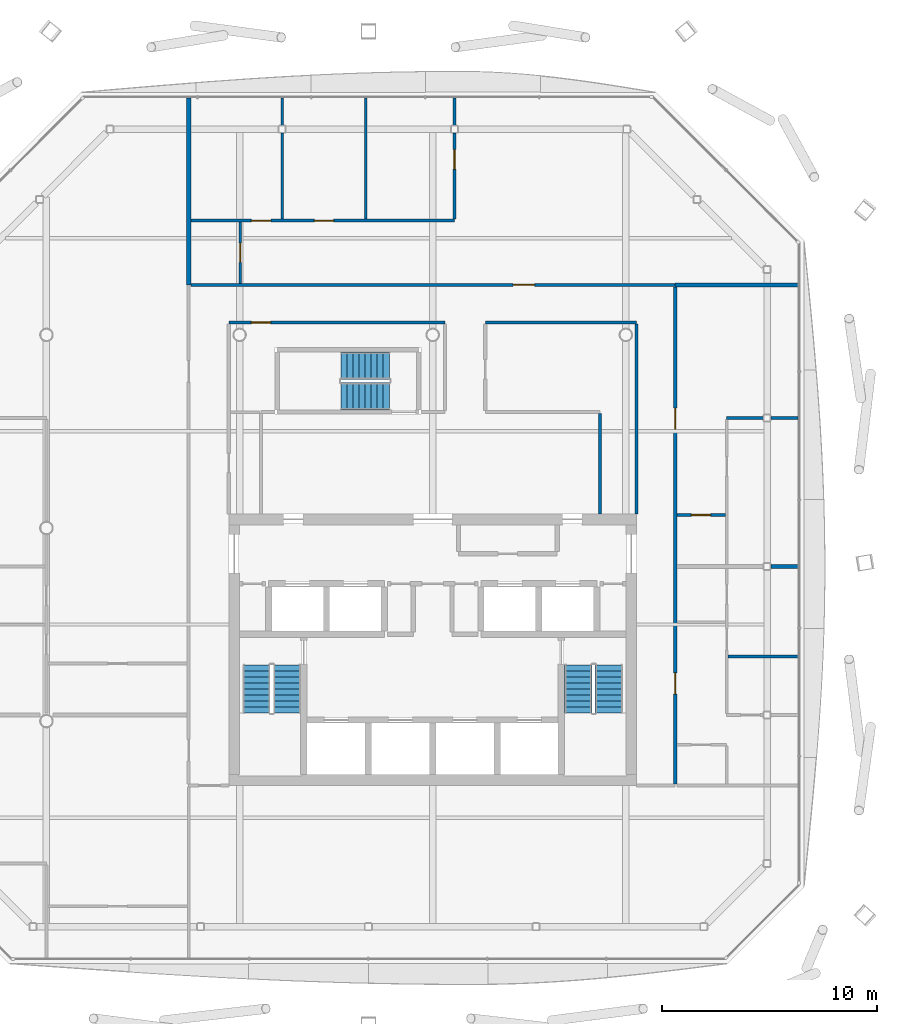
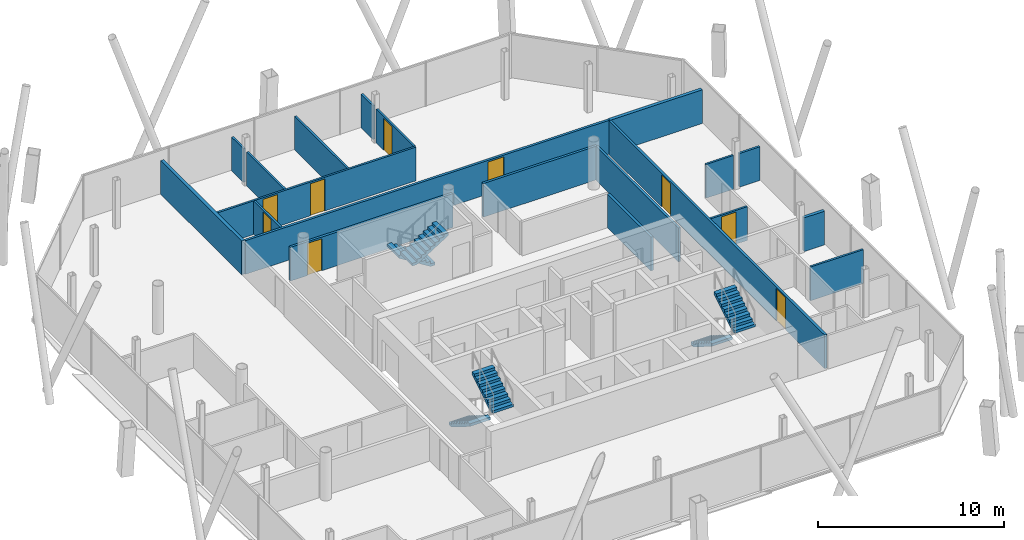
# One storey, part 15 of 19: 20 walls, 9 doors, 6 stair flights, 9 openings, 3 elements without a shape of their own.
"""IFC4 building model written with IfcOpenShell, lengths in metres."""

from ifc_helpers import new_model, si_unit, direction, frame, frame_2d, origin, place, context, subcontext, project, spatial, polyline, rectangle, outline, extrude, material, layer, layer_set, type_object, element, fill, aggregate, save


model = new_model("IFC4")

# Units and contexts
model_context = context("Model", 3, precision=1e-05, world=origin(), true_north=direction((0.0, 1.0)))
body_context = subcontext(model_context, "Body", "Model", "MODEL_VIEW")
ifc_project = project(units=[si_unit("LENGTHUNIT", "METRE"), si_unit("AREAUNIT", "SQUARE_METRE"), si_unit("VOLUMEUNIT", "CUBIC_METRE"), si_unit("PLANEANGLEUNIT", "RADIAN"), si_unit("MASSUNIT", "GRAM", prefix="KILO")], contexts=[model_context])

# Site, building, storey
site_placement = place(None, origin())
site = spatial("IfcSite", under=ifc_project, at=site_placement, CompositionType="ELEMENT")
building_placement = place(site_placement, origin())
building = spatial("IfcBuilding", under=site, at=building_placement, Name="Tskaro Facet Tower", CompositionType="ELEMENT")
storey_placement = place(building_placement, frame((0.0, 0.0, 191.10009765625)))
storey = spatial("IfcBuildingStorey", under=building, at=storey_placement, Name="L48", CompositionType="ELEMENT", Elevation=191.10009765625)

# Wall
ifc_material_1 = material(Name="Gypsum board on steel studs", Category="steel")
ifc_layer_1 = layer(ifc_material_1, 0.125, Name="Gypsum board on steel studs")
ifc_layer_set_1 = layer_set([ifc_layer_1], Name="Gypsum board on steel studs")
wall_type_1 = type_object("IfcWallType", Name="PART", PredefinedType="PARTITIONING", material=ifc_layer_set_1)
wall_1_placement = place(storey_placement, frame((13.762451171875, -5.989990234375, 0.0), z_axis=(0.0, 0.0, 1.0), x_axis=(1.0, 0.0, 0.0)))
element("IfcWall", 1, at=wall_1_placement, inside=storey, type_object=wall_type_1, Name="Partition W015", PredefinedType="PARTITIONING", context=body_context, shape_type="SweptSolid", body=[
    extrude(rectangle(XDim=3.267578125, YDim=0.125, at=frame_2d((1.6337890625, 0.0))), origin(), (0.0, 0.0, 1.0), 2.2099609375),
])

# Wall, opening, door
wall_2_placement = place(storey_placement, frame((13.637451171875, 0.60498046875, 0.0), z_axis=(0.0, 0.0, 1.0), x_axis=(-1.0, 0.0, 0.0)))
wall_2 = element("IfcWall", 2, at=wall_2_placement, inside=storey, type_object=wall_type_1, Name="Partition W032", PredefinedType="PARTITIONING", context=body_context, shape_type="SweptSolid", body=[
    extrude(rectangle(XDim=2.262451171875, YDim=0.125, at=frame_2d((1.13134765625, 0.0))), origin(), (0.0, 0.0, 1.0), 2.2099609375),
])
opening_1_placement = place(wall_2_placement, frame((0.6875, 0.0, 0.0)))
opening_1 = element("IfcOpeningElement", 3, at=opening_1_placement, cuts=wall_2, Name="Opening T14-D23", PredefinedType="OPENING", context=body_context, shape_type="SweptSolid", body=[
    extrude(rectangle(XDim=0.89990234375, YDim=2.10009765625, at=frame_2d((0.449951171875, 1.050048828125))), frame((0.0, 0.072509765625, 0.0), z_axis=(0.0, -1.0, 0.0), x_axis=(1.0, 0.0, 0.0)), (0.0, 0.0, 1.0), 0.14501953125),
])
ifc_material_2 = material(Name="Timber", Category="wood")
door_type_1 = type_object("IfcDoorType", Name="D-ROOM", OperationType="NOTDEFINED", PredefinedType="DOOR", material=ifc_material_2)
door_1_placement = place(opening_1_placement, origin())
door_1 = element("IfcDoor", 4, at=door_1_placement, inside=storey, type_object=door_type_1, Name="Door T14-D23", OperationType="SINGLE_SWING_RIGHT", OverallHeight=2.10009765625, OverallWidth=0.89990234375, PredefinedType="DOOR", context=body_context, shape_type="SweptSolid", body=[
    extrude(rectangle(XDim=0.89990234375, YDim=2.10009765625, at=frame_2d((0.449951171875, 1.050048828125))), frame((0.0, 0.02490234375, 0.0), z_axis=(0.0, -1.0, 0.0), x_axis=(1.0, 0.0, 0.0)), (0.0, 0.0, 1.0), 0.050048828125),
])
fill(opening_1, door_1)

# Walls
wall_3_placement = place(storey_placement, frame((13.699951171875, 5.125, 0.0), z_axis=(0.0, 0.0, 1.0), x_axis=(1.0, 0.0, 0.0)))
element("IfcWall", 5, at=wall_3_placement, inside=storey, type_object=wall_type_1, Name="Partition W035", PredefinedType="PARTITIONING", context=body_context, shape_type="SweptSolid", body=[
    extrude(rectangle(XDim=1.7080078125, YDim=0.125, at=frame_2d((0.85400390625, 0.0))), origin(), (0.0, 0.0, 1.0), 2.2099609375),
])
wall_4_placement = place(storey_placement, frame((15.758056640625, 5.125, 0.0), z_axis=(0.0, 0.0, 1.0), x_axis=(1.0, 0.0, 0.0)))
element("IfcWall", 6, at=wall_4_placement, inside=storey, type_object=wall_type_1, Name="Partition W036", PredefinedType="PARTITIONING", context=body_context, shape_type="SweptSolid", body=[
    extrude(rectangle(XDim=1.27197265625, YDim=0.125, at=frame_2d((0.635986328125, 0.0))), origin(), (0.0, 0.0, 1.0), 2.2099609375),
])

# Wall, openings, doors
wall_5_placement = place(storey_placement, frame((-11.27490234375, 14.324951171875, 0.0), z_axis=(0.0, 0.0, 1.0), x_axis=(1.0, 0.0, 0.0)))
wall_5 = element("IfcWall", 7, at=wall_5_placement, inside=storey, type_object=wall_type_1, Name="Partition W047", PredefinedType="PARTITIONING", context=body_context, shape_type="SweptSolid", body=[
    extrude(rectangle(XDim=12.289794921875, YDim=0.125, at=frame_2d((6.14501953125, 0.0))), origin(), (0.0, 0.0, 1.0), 2.2099609375),
])
opening_2_placement = place(wall_5_placement, frame((2.830078125, 0.0, 0.0)))
opening_2 = element("IfcOpeningElement", 8, at=opening_2_placement, cuts=wall_5, Name="Opening T14-D33", PredefinedType="OPENING", context=body_context, shape_type="SweptSolid", body=[
    extrude(rectangle(XDim=0.89990234375, YDim=2.10009765625, at=frame_2d((0.449951171875, 1.050048828125))), frame((0.0, 0.072509765625, 0.0), z_axis=(0.0, -1.0, 0.0), x_axis=(1.0, 0.0, 0.0)), (0.0, 0.0, 1.0), 0.14501953125),
])
opening_3_placement = place(wall_5_placement, frame((5.760009765625, 0.0, 0.0)))
opening_3 = element("IfcOpeningElement", 9, at=opening_3_placement, cuts=wall_5, Name="Opening T14-D34", PredefinedType="OPENING", context=body_context, shape_type="SweptSolid", body=[
    extrude(rectangle(XDim=0.89990234375, YDim=2.10009765625, at=frame_2d((0.449951171875, 1.050048828125))), frame((0.0, 0.072509765625, 0.0), z_axis=(0.0, -1.0, 0.0), x_axis=(1.0, 0.0, 0.0)), (0.0, 0.0, 1.0), 0.14501953125),
])
door_2_placement = place(opening_2_placement, origin())
door_2 = element("IfcDoor", 10, at=door_2_placement, inside=storey, type_object=door_type_1, Name="Door T14-D33", OperationType="SINGLE_SWING_RIGHT", OverallHeight=2.10009765625, OverallWidth=0.89990234375, PredefinedType="DOOR", context=body_context, shape_type="SweptSolid", body=[
    extrude(rectangle(XDim=0.89990234375, YDim=2.10009765625, at=frame_2d((0.449951171875, 1.050048828125))), frame((0.0, 0.02490234375, 0.0), z_axis=(0.0, -1.0, 0.0), x_axis=(1.0, 0.0, 0.0)), (0.0, 0.0, 1.0), 0.050048828125),
])
fill(opening_2, door_2)
door_3_placement = place(opening_3_placement, origin())
door_3 = element("IfcDoor", 11, at=door_3_placement, inside=storey, type_object=door_type_1, Name="Door T14-D34", OperationType="SINGLE_SWING_RIGHT", OverallHeight=2.10009765625, OverallWidth=0.89990234375, PredefinedType="DOOR", context=body_context, shape_type="SweptSolid", body=[
    extrude(rectangle(XDim=0.89990234375, YDim=2.10009765625, at=frame_2d((0.449951171875, 1.050048828125))), frame((0.0, 0.02490234375, 0.0), z_axis=(0.0, -1.0, 0.0), x_axis=(1.0, 0.0, 0.0)), (0.0, 0.0, 1.0), 0.050048828125),
])
fill(opening_3, door_3)

# Wall, opening, door
wall_6_placement = place(storey_placement, frame((-8.97509765625, 11.39990234375, 0.0), z_axis=(0.0, 0.0, 1.0), x_axis=(0.0, 1.0, 0.0)))
wall_6 = element("IfcWall", 12, at=wall_6_placement, inside=storey, type_object=wall_type_1, Name="Partition W055", PredefinedType="PARTITIONING", context=body_context, shape_type="SweptSolid", body=[
    extrude(rectangle(XDim=2.862548828125, YDim=0.125, at=frame_2d((1.43115234375, 0.0))), origin(), (0.0, 0.0, 1.0), 2.2099609375),
])
opening_4_placement = place(wall_6_placement, frame((0.97509765625, 0.0, 0.0)))
opening_4 = element("IfcOpeningElement", 13, at=opening_4_placement, cuts=wall_6, Name="Opening T14-D32", PredefinedType="OPENING", context=body_context, shape_type="SweptSolid", body=[
    extrude(rectangle(XDim=0.89990234375, YDim=2.10009765625, at=frame_2d((0.449951171875, 1.050048828125))), frame((0.0, 0.072509765625, 0.0), z_axis=(0.0, -1.0, 0.0), x_axis=(1.0, 0.0, 0.0)), (0.0, 0.0, 1.0), 0.14501953125),
])
door_4_placement = place(opening_4_placement, origin())
door_4 = element("IfcDoor", 14, at=door_4_placement, inside=storey, type_object=door_type_1, Name="Door T14-D32", OperationType="SINGLE_SWING_LEFT", OverallHeight=2.10009765625, OverallWidth=0.89990234375, PredefinedType="DOOR", context=body_context, shape_type="SweptSolid", body=[
    extrude(rectangle(XDim=0.89990234375, YDim=2.10009765625, at=frame_2d((0.449951171875, 1.050048828125))), frame((0.0, 0.02490234375, 0.0), z_axis=(0.0, -1.0, 0.0), x_axis=(1.0, 0.0, 0.0)), (0.0, 0.0, 1.0), 0.050048828125),
])
fill(opening_4, door_4)

# Walls
wall_7_placement = place(storey_placement, frame((-7.014892578125, 14.387451171875, 0.0), z_axis=(0.0, 0.0, 1.0), x_axis=(0.0, 1.0, 0.0)))
element("IfcWall", 15, at=wall_7_placement, inside=storey, type_object=wall_type_1, Name="Partition W059", PredefinedType="PARTITIONING", context=body_context, shape_type="SweptSolid", body=[
    extrude(rectangle(XDim=4.0205078125, YDim=0.125, at=frame_2d((2.01025390625, 0.0))), origin(), (0.0, 0.0, 1.0), 2.2099609375),
])
wall_8_placement = place(storey_placement, frame((-7.014892578125, 18.758056640625, 0.0), z_axis=(0.0, 0.0, 1.0), x_axis=(0.0, 1.0, 0.0)))
element("IfcWall", 16, at=wall_8_placement, inside=storey, type_object=wall_type_1, Name="Partition W060", PredefinedType="PARTITIONING", context=body_context, shape_type="SweptSolid", body=[
    extrude(rectangle(XDim=1.27197265625, YDim=0.125, at=frame_2d((0.635986328125, 0.0))), origin(), (0.0, 0.0, 1.0), 2.2099609375),
])
wall_9_placement = place(storey_placement, frame((-3.114990234375, 14.387451171875, 0.0), z_axis=(0.0, 0.0, 1.0), x_axis=(0.0, 1.0, 0.0)))
element("IfcWall", 17, at=wall_9_placement, inside=storey, type_object=wall_type_1, Name="Partition W063", PredefinedType="PARTITIONING", context=body_context, shape_type="SweptSolid", body=[
    extrude(rectangle(XDim=5.642578125, YDim=0.125, at=frame_2d((2.8212890625, 0.0))), origin(), (0.0, 0.0, 1.0), 2.2099609375),
])

# Wall, opening, door
wall_10_placement = place(storey_placement, frame((1.014892578125, 14.387451171875, 0.0), z_axis=(0.0, 0.0, 1.0), x_axis=(0.0, 1.0, 0.0)))
wall_10 = element("IfcWall", 18, at=wall_10_placement, inside=storey, type_object=wall_type_1, Name="Partition W071", PredefinedType="PARTITIONING", context=body_context, shape_type="SweptSolid", body=[
    extrude(rectangle(XDim=4.0205078125, YDim=0.125, at=frame_2d((2.01025390625, 0.0))), origin(), (0.0, 0.0, 1.0), 2.2099609375),
])
opening_5_placement = place(wall_10_placement, frame((2.340087890625, 0.0, 0.0)))
opening_5 = element("IfcOpeningElement", 19, at=opening_5_placement, cuts=wall_10, Name="Opening T14-D35", PredefinedType="OPENING", context=body_context, shape_type="SweptSolid", body=[
    extrude(rectangle(XDim=0.89990234375, YDim=2.10009765625, at=frame_2d((0.449951171875, 1.050048828125))), frame((0.0, 0.072509765625, 0.0), z_axis=(0.0, -1.0, 0.0), x_axis=(1.0, 0.0, 0.0)), (0.0, 0.0, 1.0), 0.14501953125),
])
door_5_placement = place(opening_5_placement, origin())
door_5 = element("IfcDoor", 20, at=door_5_placement, inside=storey, type_object=door_type_1, Name="Door T14-D35", OperationType="SINGLE_SWING_RIGHT", OverallHeight=2.10009765625, OverallWidth=0.89990234375, PredefinedType="DOOR", context=body_context, shape_type="SweptSolid", body=[
    extrude(rectangle(XDim=0.89990234375, YDim=2.10009765625, at=frame_2d((0.449951171875, 1.050048828125))), frame((0.0, 0.02490234375, 0.0), z_axis=(0.0, -1.0, 0.0), x_axis=(1.0, 0.0, 0.0)), (0.0, 0.0, 1.0), 0.050048828125),
])
fill(opening_5, door_5)

# Wall
wall_11_placement = place(storey_placement, frame((1.014892578125, 18.758056640625, 0.0), z_axis=(0.0, 0.0, 1.0), x_axis=(0.0, 1.0, 0.0)))
element("IfcWall", 21, at=wall_11_placement, inside=storey, type_object=wall_type_1, Name="Partition W072", PredefinedType="PARTITIONING", context=body_context, shape_type="SweptSolid", body=[
    extrude(rectangle(XDim=1.27197265625, YDim=0.125, at=frame_2d((0.635986328125, 0.0))), origin(), (0.0, 0.0, 1.0), 2.2099609375),
])

# Wall, opening, door
ifc_layer_2 = layer(ifc_material_1, 0.14990234375, Name="Gypsum board on steel studs")
ifc_layer_set_2 = layer_set([ifc_layer_2], Name="Gypsum board on steel studs")
wall_type_2 = type_object("IfcWallType", Name="PART-CORR", PredefinedType="PARTITIONING", material=ifc_layer_set_2)
wall_12_placement = place(storey_placement, frame((0.574951171875, 9.574951171875, 0.0), z_axis=(0.0, 0.0, 1.0), x_axis=(-1.0, 0.0, 0.0)))
wall_12 = element("IfcWall", 22, at=wall_12_placement, inside=storey, type_object=wall_type_2, Name="Corridor wall W043", PredefinedType="PARTITIONING", context=body_context, shape_type="SweptSolid", body=[
    extrude(rectangle(XDim=10.074951171875, YDim=0.14990234375, at=frame_2d((5.03759765625, 0.0))), origin(), (0.0, 0.0, 1.0), 2.2099609375),
])
opening_6_placement = place(wall_12_placement, frame((8.125, 0.0, 0.0)))
opening_6 = element("IfcOpeningElement", 23, at=opening_6_placement, cuts=wall_12, Name="Opening T14-D30", PredefinedType="OPENING", context=body_context, shape_type="SweptSolid", body=[
    extrude(rectangle(XDim=0.89990234375, YDim=2.10009765625, at=frame_2d((0.449951171875, 1.050048828125))), frame((0.0, 0.0849609375, 0.0), z_axis=(0.0, -1.0, 0.0), x_axis=(1.0, 0.0, 0.0)), (0.0, 0.0, 1.0), 0.169921875),
])
door_6_placement = place(opening_6_placement, origin())
door_6 = element("IfcDoor", 24, at=door_6_placement, inside=storey, type_object=door_type_1, Name="Door T14-D30", OperationType="SINGLE_SWING_RIGHT", OverallHeight=2.10009765625, OverallWidth=0.89990234375, PredefinedType="DOOR", context=body_context, shape_type="SweptSolid", body=[
    extrude(rectangle(XDim=0.89990234375, YDim=2.10009765625, at=frame_2d((0.449951171875, 1.050048828125))), frame((0.0, 0.02490234375, 0.0), z_axis=(0.0, -1.0, 0.0), x_axis=(1.0, 0.0, 0.0)), (0.0, 0.0, 1.0), 0.050048828125),
])
fill(opening_6, door_6)

# Wall
wall_13_placement = place(storey_placement, frame((2.449951171875, 9.574951171875, 0.0), z_axis=(0.0, 0.0, 1.0), x_axis=(1.0, 0.0, 0.0)))
element("IfcWall", 25, at=wall_13_placement, inside=storey, type_object=wall_type_2, Name="Corridor wall W044", PredefinedType="PARTITIONING", context=body_context, shape_type="SweptSolid", body=[
    extrude(rectangle(XDim=7.050048828125, YDim=0.14990234375, at=frame_2d((3.52490234375, 0.0))), origin(), (0.0, 0.0, 1.0), 2.2099609375),
])

# Wall, opening, door
wall_14_placement = place(storey_placement, frame((-11.27490234375, 11.324951171875, 0.0), z_axis=(0.0, 0.0, 1.0), x_axis=(1.0, 0.0, 0.0)))
wall_14 = element("IfcWall", 26, at=wall_14_placement, inside=storey, type_object=wall_type_2, Name="Corridor wall W045", PredefinedType="PARTITIONING", context=body_context, shape_type="SweptSolid", body=[
    extrude(rectangle(XDim=22.574951171875, YDim=0.14990234375, at=frame_2d((11.28759765625, 0.0))), origin(), (0.0, 0.0, 1.0), 2.2099609375),
])
opening_7_placement = place(wall_14_placement, frame((15.02490234375, 0.0, 0.0)))
opening_7 = element("IfcOpeningElement", 27, at=opening_7_placement, cuts=wall_14, Name="Opening T14-D31", PredefinedType="OPENING", context=body_context, shape_type="SweptSolid", body=[
    extrude(rectangle(XDim=1.0, YDim=2.10009765625, at=frame_2d((0.5, 1.050048828125))), frame((0.0, 0.0849609375, 0.0), z_axis=(0.0, -1.0, 0.0), x_axis=(1.0, 0.0, 0.0)), (0.0, 0.0, 1.0), 0.169921875),
])
door_type_2 = type_object("IfcDoorType", Name="D-FLAT-ENTRY", OperationType="NOTDEFINED", PredefinedType="DOOR", material=ifc_material_2)
door_7_placement = place(opening_7_placement, origin())
door_7 = element("IfcDoor", 28, at=door_7_placement, inside=storey, type_object=door_type_2, Name="Door T14-D31", OperationType="SINGLE_SWING_LEFT", OverallHeight=2.10009765625, OverallWidth=1.0, PredefinedType="DOOR", context=body_context, shape_type="SweptSolid", body=[
    extrude(rectangle(XDim=1.0, YDim=2.10009765625, at=frame_2d((0.5, 1.050048828125))), frame((0.0, 0.02490234375, 0.0), z_axis=(0.0, -1.0, 0.0), x_axis=(1.0, 0.0, 0.0)), (0.0, 0.0, 1.0), 0.050048828125),
])
fill(opening_7, door_7)

# Walls
wall_15_placement = place(storey_placement, frame((7.800048828125, 0.64990234375, 0.0), z_axis=(0.0, 0.0, 1.0), x_axis=(0.0, 1.0, 0.0)))
element("IfcWall", 29, at=wall_15_placement, inside=storey, type_object=wall_type_2, Name="Corridor wall W081", PredefinedType="PARTITIONING", context=body_context, shape_type="SweptSolid", body=[
    extrude(rectangle(XDim=4.675048828125, YDim=0.14990234375, at=frame_2d((2.33740234375, 0.0))), origin(), (0.0, 0.0, 1.0), 2.2099609375),
])
wall_16_placement = place(storey_placement, frame((9.5, 0.64990234375, 0.0), z_axis=(0.0, 0.0, 1.0), x_axis=(0.0, 1.0, 0.0)))
element("IfcWall", 30, at=wall_16_placement, inside=storey, type_object=wall_type_2, Name="Corridor wall W082", PredefinedType="PARTITIONING", context=body_context, shape_type="SweptSolid", body=[
    extrude(rectangle(XDim=8.85009765625, YDim=0.14990234375, at=frame_2d((4.425048828125, 0.0))), origin(), (0.0, 0.0, 1.0), 2.2099609375),
])

# Wall, openings, doors
wall_17_placement = place(storey_placement, frame((11.300048828125, 11.22509765625, 0.0), z_axis=(0.0, 0.0, 1.0), x_axis=(0.0, -1.0, 0.0)))
wall_17 = element("IfcWall", 31, at=wall_17_placement, inside=storey, type_object=wall_type_2, Name="Corridor wall W083", PredefinedType="PARTITIONING", context=body_context, shape_type="SweptSolid", body=[
    extrude(rectangle(XDim=23.150146484375, YDim=0.14990234375, at=frame_2d((11.5751953125, 0.0))), origin(), (0.0, 0.0, 1.0), 2.2099609375),
])
opening_8_placement = place(wall_17_placement, frame((17.972412109375, 0.0, 0.0)))
opening_8 = element("IfcOpeningElement", 32, at=opening_8_placement, cuts=wall_17, Name="Opening T14-D07", PredefinedType="OPENING", context=body_context, shape_type="SweptSolid", body=[
    extrude(rectangle(XDim=1.0, YDim=2.10009765625, at=frame_2d((0.5, 1.050048828125))), frame((0.0, 0.0849609375, 0.0), z_axis=(0.0, -1.0, 0.0), x_axis=(1.0, 0.0, 0.0)), (0.0, 0.0, 1.0), 0.169921875),
])
opening_9_placement = place(wall_17_placement, frame((5.635009765625, 0.0, 0.0)))
opening_9 = element("IfcOpeningElement", 33, at=opening_9_placement, cuts=wall_17, Name="Opening T14-D26", PredefinedType="OPENING", context=body_context, shape_type="SweptSolid", body=[
    extrude(rectangle(XDim=1.0, YDim=2.10009765625, at=frame_2d((0.5, 1.050048828125))), frame((0.0, 0.0849609375, 0.0), z_axis=(0.0, -1.0, 0.0), x_axis=(1.0, 0.0, 0.0)), (0.0, 0.0, 1.0), 0.169921875),
])
door_8_placement = place(opening_8_placement, origin())
door_8 = element("IfcDoor", 34, at=door_8_placement, inside=storey, type_object=door_type_2, Name="Door T14-D07", OperationType="SINGLE_SWING_RIGHT", OverallHeight=2.10009765625, OverallWidth=1.0, PredefinedType="DOOR", context=body_context, shape_type="SweptSolid", body=[
    extrude(rectangle(XDim=1.0, YDim=2.10009765625, at=frame_2d((0.5, 1.050048828125))), frame((0.0, 0.02490234375, 0.0), z_axis=(0.0, -1.0, 0.0), x_axis=(1.0, 0.0, 0.0)), (0.0, 0.0, 1.0), 0.050048828125),
])
fill(opening_8, door_8)
door_9_placement = place(opening_9_placement, origin())
door_9 = element("IfcDoor", 35, at=door_9_placement, inside=storey, type_object=door_type_2, Name="Door T14-D26", OperationType="SINGLE_SWING_RIGHT", OverallHeight=2.10009765625, OverallWidth=1.0, PredefinedType="DOOR", context=body_context, shape_type="SweptSolid", body=[
    extrude(rectangle(XDim=1.0, YDim=2.10009765625, at=frame_2d((0.5, 1.050048828125))), frame((0.0, 0.02490234375, 0.0), z_axis=(0.0, -1.0, 0.0), x_axis=(1.0, 0.0, 0.0)), (0.0, 0.0, 1.0), 0.050048828125),
])
fill(opening_9, door_9)

# Walls
ifc_layer_3 = layer(ifc_material_1, 0.199951171875, Name="Gypsum board on steel studs")
ifc_layer_set_3 = layer_set([ifc_layer_3], Name="Gypsum board on steel studs")
wall_type_3 = type_object("IfcWallType", Name="PART-DEMISING", PredefinedType="PARTITIONING", material=ifc_layer_set_3)
wall_18_placement = place(storey_placement, frame((15.758056640625, -1.794921875, 0.0), z_axis=(0.0, 0.0, 1.0), x_axis=(1.0, 0.0, 0.0)))
element("IfcWall", 36, at=wall_18_placement, inside=storey, type_object=wall_type_3, Name="Guest room wall W030", PredefinedType="PARTITIONING", context=body_context, shape_type="SweptSolid", body=[
    extrude(rectangle(XDim=1.27197265625, YDim=0.199951171875, at=frame_2d((0.635986328125, 0.0))), origin(), (0.0, 0.0, 1.0), 2.2099609375),
])
wall_19_placement = place(storey_placement, frame((11.300048828125, 11.324951171875, 0.0), z_axis=(0.0, 0.0, 1.0), x_axis=(1.0, 0.0, 0.0)))
element("IfcWall", 37, at=wall_19_placement, inside=storey, type_object=wall_type_3, Name="Guest room wall W046", PredefinedType="PARTITIONING", context=body_context, shape_type="SweptSolid", body=[
    extrude(rectangle(XDim=5.72998046875, YDim=0.199951171875, at=frame_2d((2.864990234375, 0.0))), origin(), (0.0, 0.0, 1.0), 2.2099609375),
])
wall_20_placement = place(storey_placement, frame((-11.375, 11.324951171875, 0.0), z_axis=(0.0, 0.0, 1.0), x_axis=(0.0, 1.0, 0.0)))
element("IfcWall", 38, at=wall_20_placement, inside=storey, type_object=wall_type_3, Name="Guest room wall W053", PredefinedType="PARTITIONING", context=body_context, shape_type="SweptSolid", body=[
    extrude(rectangle(XDim=8.705078125, YDim=0.199951171875, at=frame_2d((4.3525390625, 0.0))), origin(), (0.0, 0.0, 1.0), 2.2099609375),
])

# Stair, stair flights
ifc_material_3 = material(Name="Concrete C40/50", Category="concrete")
stair_type = type_object("IfcStairType", Name="ST-TWR", PredefinedType="HALF_TURN_STAIR", material=ifc_material_3)
stair_1_placement = place(storey_placement, origin())
stair_1 = element("IfcStair", 39, at=stair_1_placement, inside=storey, type_object=stair_type, Name="L48 Exit stair 1", PredefinedType="HALF_TURN_STAIR")
stair_flight_type = type_object("IfcStairFlightType", Name="SFL-RC", PredefinedType="STRAIGHT", material=ifc_material_3)
stair_flight_1_placement = place(storey_placement, frame((-8.21240234375, -6.375, 0.0), z_axis=(0.0, 0.0, 1.0), x_axis=(0.0, -1.0, 0.0)))
stair_flight_1 = element("IfcStairFlight", 40, at=stair_flight_1_placement, type_object=stair_flight_type, Name="ST-1 flight 1", NumberOfRisers=9, NumberOfTreads=8, PredefinedType="STRAIGHT", RiserHeight=0.175, TreadLength=0.28, context=body_context, shape_type="SweptSolid", body=[
    extrude(outline(polyline([(0.0, 0.0), (0.0, 0.175048828125), (0.280029296875, 0.175048828125), (0.280029296875, 0.35009765625), (0.56005859375, 0.35009765625), (0.56005859375, 0.52490234375), (0.840087890625, 0.52490234375), (0.840087890625, 0.699951171875), (1.1201171875, 0.699951171875), (1.1201171875, 0.875), (1.39990234375, 0.875), (1.39990234375, 1.050048828125), (1.679931640625, 1.050048828125), (1.679931640625, 1.22509765625), (1.9599609375, 1.22509765625), (1.9599609375, 1.39990234375), (2.239990234375, 1.39990234375), (2.239990234375, 1.574951171875), (2.239990234375, 1.22314453125), (0.28271484375, 0.0), (0.0, 0.0)])), frame((0.0, 0.637451171875, 0.0), z_axis=(0.0, -1.0, 0.0), x_axis=(1.0, 0.0, 0.0)), (0.0, 0.0, 1.0), 1.27490234375),
])
stair_flight_2_placement = place(storey_placement, frame((-6.78759765625, -8.614990234375, 1.574951171875), z_axis=(0.0, 0.0, 1.0), x_axis=(0.0, 1.0, 0.0)))
stair_flight_2 = element("IfcStairFlight", 41, at=stair_flight_2_placement, type_object=stair_flight_type, Name="ST-1 flight 2", NumberOfRisers=9, NumberOfTreads=8, PredefinedType="STRAIGHT", RiserHeight=0.175, TreadLength=0.28, context=body_context, shape_type="SweptSolid", body=[
    extrude(outline(polyline([(0.0, 0.0), (0.0, 0.175048828125), (0.280029296875, 0.175048828125), (0.280029296875, 0.35009765625), (0.56005859375, 0.35009765625), (0.56005859375, 0.52490234375), (0.840087890625, 0.52490234375), (0.840087890625, 0.699951171875), (1.1201171875, 0.699951171875), (1.1201171875, 0.875), (1.39990234375, 0.875), (1.39990234375, 1.050048828125), (1.679931640625, 1.050048828125), (1.679931640625, 1.22509765625), (1.9599609375, 1.22509765625), (1.9599609375, 1.39990234375), (2.239990234375, 1.39990234375), (2.239990234375, 1.574951171875), (2.239990234375, 1.22314453125), (0.28271484375, 0.0), (0.0, 0.0)])), frame((0.0, 0.637451171875, 0.0), z_axis=(0.0, -1.0, 0.0), x_axis=(1.0, 0.0, 0.0)), (0.0, 0.0, 1.0), 1.27490234375),
])
aggregate(stair_1, [stair_flight_1, stair_flight_2])

stair_2_placement = place(storey_placement, origin())
stair_2 = element("IfcStair", 42, at=stair_2_placement, inside=storey, type_object=stair_type, Name="L48 Exit stair 2", PredefinedType="HALF_TURN_STAIR")
stair_flight_3_placement = place(storey_placement, frame((6.78759765625, -6.375, 0.0), z_axis=(0.0, 0.0, 1.0), x_axis=(0.0, -1.0, 0.0)))
stair_flight_3 = element("IfcStairFlight", 43, at=stair_flight_3_placement, type_object=stair_flight_type, Name="ST-2 flight 1", NumberOfRisers=9, NumberOfTreads=8, PredefinedType="STRAIGHT", RiserHeight=0.175, TreadLength=0.28, context=body_context, shape_type="SweptSolid", body=[
    extrude(outline(polyline([(0.0, 0.0), (0.0, 0.175048828125), (0.280029296875, 0.175048828125), (0.280029296875, 0.35009765625), (0.56005859375, 0.35009765625), (0.56005859375, 0.52490234375), (0.840087890625, 0.52490234375), (0.840087890625, 0.699951171875), (1.1201171875, 0.699951171875), (1.1201171875, 0.875), (1.39990234375, 0.875), (1.39990234375, 1.050048828125), (1.679931640625, 1.050048828125), (1.679931640625, 1.22509765625), (1.9599609375, 1.22509765625), (1.9599609375, 1.39990234375), (2.239990234375, 1.39990234375), (2.239990234375, 1.574951171875), (2.239990234375, 1.22314453125), (0.28271484375, 0.0), (0.0, 0.0)])), frame((0.0, 0.637451171875, 0.0), z_axis=(0.0, -1.0, 0.0), x_axis=(1.0, 0.0, 0.0)), (0.0, 0.0, 1.0), 1.27490234375),
])
stair_flight_4_placement = place(storey_placement, frame((8.21240234375, -8.614990234375, 1.574951171875), z_axis=(0.0, 0.0, 1.0), x_axis=(0.0, 1.0, 0.0)))
stair_flight_4 = element("IfcStairFlight", 44, at=stair_flight_4_placement, type_object=stair_flight_type, Name="ST-2 flight 2", NumberOfRisers=9, NumberOfTreads=8, PredefinedType="STRAIGHT", RiserHeight=0.175, TreadLength=0.28, context=body_context, shape_type="SweptSolid", body=[
    extrude(outline(polyline([(0.0, 0.0), (0.0, 0.175048828125), (0.280029296875, 0.175048828125), (0.280029296875, 0.35009765625), (0.56005859375, 0.35009765625), (0.56005859375, 0.52490234375), (0.840087890625, 0.52490234375), (0.840087890625, 0.699951171875), (1.1201171875, 0.699951171875), (1.1201171875, 0.875), (1.39990234375, 0.875), (1.39990234375, 1.050048828125), (1.679931640625, 1.050048828125), (1.679931640625, 1.22509765625), (1.9599609375, 1.22509765625), (1.9599609375, 1.39990234375), (2.239990234375, 1.39990234375), (2.239990234375, 1.574951171875), (2.239990234375, 1.22314453125), (0.28271484375, 0.0), (0.0, 0.0)])), frame((0.0, 0.637451171875, 0.0), z_axis=(0.0, -1.0, 0.0), x_axis=(1.0, 0.0, 0.0)), (0.0, 0.0, 1.0), 1.27490234375),
])
aggregate(stair_2, [stair_flight_3, stair_flight_4])

stair_3_placement = place(storey_placement, origin())
stair_3 = element("IfcStair", 45, at=stair_3_placement, inside=storey, type_object=stair_type, Name="L48 Exit stair 3", PredefinedType="HALF_TURN_STAIR")
stair_flight_5_placement = place(storey_placement, frame((-2.02490234375, 7.5625, 0.0), z_axis=(0.0, 0.0, 1.0), x_axis=(-1.0, 0.0, 0.0)))
stair_flight_5 = element("IfcStairFlight", 46, at=stair_flight_5_placement, type_object=stair_flight_type, Name="ST-3 flight 1", NumberOfRisers=9, NumberOfTreads=8, PredefinedType="STRAIGHT", RiserHeight=0.175, TreadLength=0.28, context=body_context, shape_type="SweptSolid", body=[
    extrude(outline(polyline([(0.0, 0.0), (0.0, 0.175048828125), (0.280029296875, 0.175048828125), (0.280029296875, 0.35009765625), (0.56005859375, 0.35009765625), (0.56005859375, 0.52490234375), (0.840087890625, 0.52490234375), (0.840087890625, 0.699951171875), (1.1201171875, 0.699951171875), (1.1201171875, 0.875), (1.39990234375, 0.875), (1.39990234375, 1.050048828125), (1.679931640625, 1.050048828125), (1.679931640625, 1.22509765625), (1.9599609375, 1.22509765625), (1.9599609375, 1.39990234375), (2.239990234375, 1.39990234375), (2.239990234375, 1.574951171875), (2.239990234375, 1.22314453125), (0.28271484375, 0.0), (0.0, 0.0)])), frame((0.0, 0.637451171875, 0.0), z_axis=(0.0, -1.0, 0.0), x_axis=(1.0, 0.0, 0.0)), (0.0, 0.0, 1.0), 1.27490234375),
])
stair_flight_6_placement = place(storey_placement, frame((-4.264892578125, 6.137451171875, 1.574951171875), z_axis=(0.0, 0.0, 1.0), x_axis=(1.0, 0.0, 0.0)))
stair_flight_6 = element("IfcStairFlight", 47, at=stair_flight_6_placement, type_object=stair_flight_type, Name="ST-3 flight 2", NumberOfRisers=9, NumberOfTreads=8, PredefinedType="STRAIGHT", RiserHeight=0.175, TreadLength=0.28, context=body_context, shape_type="SweptSolid", body=[
    extrude(outline(polyline([(0.0, 0.0), (0.0, 0.175048828125), (0.280029296875, 0.175048828125), (0.280029296875, 0.35009765625), (0.56005859375, 0.35009765625), (0.56005859375, 0.52490234375), (0.840087890625, 0.52490234375), (0.840087890625, 0.699951171875), (1.1201171875, 0.699951171875), (1.1201171875, 0.875), (1.39990234375, 0.875), (1.39990234375, 1.050048828125), (1.679931640625, 1.050048828125), (1.679931640625, 1.22509765625), (1.9599609375, 1.22509765625), (1.9599609375, 1.39990234375), (2.239990234375, 1.39990234375), (2.239990234375, 1.574951171875), (2.239990234375, 1.22314453125), (0.28271484375, 0.0), (0.0, 0.0)])), frame((0.0, 0.637451171875, 0.0), z_axis=(0.0, -1.0, 0.0), x_axis=(1.0, 0.0, 0.0)), (0.0, 0.0, 1.0), 1.27490234375),
])
aggregate(stair_3, [stair_flight_5, stair_flight_6])

save(model, "model.ifc")
